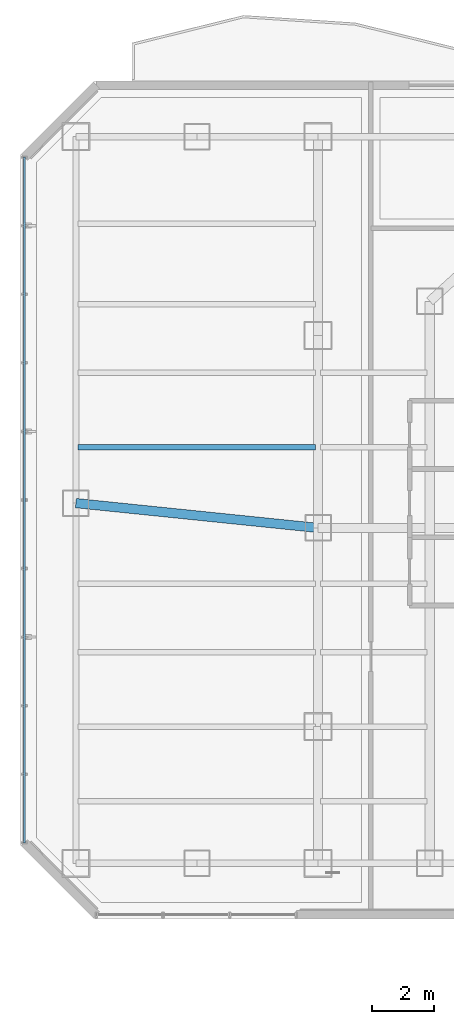
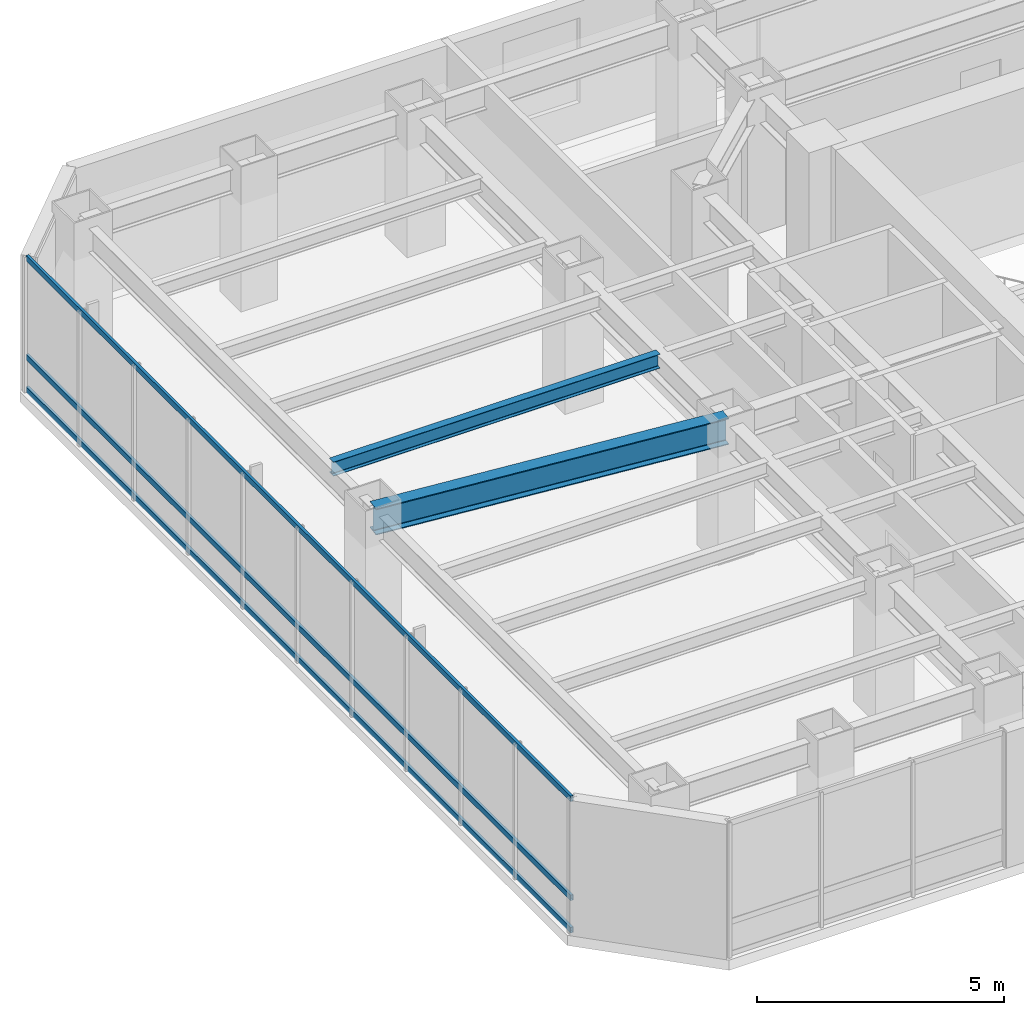
# One storey, part 14 of 29: 3 members, 2 beams, 1 element without a shape of its own.
"""IFC4 building model written with IfcOpenShell, lengths in metres."""

from ifc_helpers import new_model, si_unit, direction, frame, origin, origin_2d, place, context, subcontext, project, spatial, hollow_rectangle, i_section, extrude, material, layer, layer_set, material_profile, profile_set, type_object, element, aggregate, save


model = new_model("IFC4")

# Units and contexts
model_context = context("Model", 3, precision=1e-05, world=origin(), true_north=direction((0.0, 1.0)))
body_context = subcontext(model_context, "Body", "Model", "MODEL_VIEW")
ifc_project = project(units=[si_unit("LENGTHUNIT", "METRE"), si_unit("AREAUNIT", "SQUARE_METRE"), si_unit("VOLUMEUNIT", "CUBIC_METRE"), si_unit("PLANEANGLEUNIT", "RADIAN"), si_unit("MASSUNIT", "GRAM", prefix="KILO")], contexts=[model_context])

# Site, building, storey
site_placement = place(None, origin())
site = spatial("IfcSite", under=ifc_project, at=site_placement, CompositionType="ELEMENT")
building_placement = place(site_placement, origin())
building = spatial("IfcBuilding", under=site, at=building_placement, Name="Hatsunagi Terrace Concourse", CompositionType="ELEMENT")
storey_placement = place(building_placement, frame((0.0, 0.0, 115.64990234375)))
storey = spatial("IfcBuildingStorey", under=building, at=storey_placement, Name="L30", CompositionType="ELEMENT", Elevation=115.64990234375)

# Curtain wall, members
ifc_material_1 = material(Name="Anodised Aluminium Alloy 6063-T5", Category="aluminium")
ifc_layer = layer(ifc_material_1, 0.199951171875)
ifc_layer_set = layer_set([ifc_layer], Name="OfficeZone1_CW03")
curtain_wall_type = type_object("IfcCurtainWallType", Name="OfficeZone1_CW03", PredefinedType="NOTDEFINED", material=ifc_layer_set)
curtain_wall_placement = place(storey_placement, origin())
curtain_wall = element("IfcCurtainWall", 1, at=curtain_wall_placement, inside=storey, type_object=curtain_wall_type, Name="Unitised Curtain Wall CW-03 CW-L30-09", PredefinedType="NOTDEFINED")
ifc_material_2 = material(Name="Anodised Aluminium Alloy 6063-T5", Category="aluminium")
ifc_material_profile_1 = material_profile(ifc_material_2, hollow_rectangle(XDim=0.06494140625, YDim=0.139892578125, WallThickness=0.00390625, at=origin_2d()), Name="ALU-TRN-140x65x4")
ifc_profile_set_1 = profile_set([ifc_material_profile_1], Name="Anodised Aluminium Alloy 6063-T5")
member_type = type_object("IfcMemberType", Name="CurtainWallTransom_140x65", PredefinedType="USERDEFINED", material=ifc_profile_set_1)
member_1_placement = place(storey_placement, frame((9.739990234375, 25.85791015625, 0.050048828125), z_axis=(0.0, 1.0, 0.0), x_axis=(-1.0, 0.0, 0.0)))
member_1 = element("IfcMember", 2, at=member_1_placement, type_object=member_type, Name="Curtain Wall Transom TRN-02", ObjectType="TRANSOM", PredefinedType="USERDEFINED", context=body_context, shape_type="SweptSolid", body=[
    extrude(hollow_rectangle(XDim=0.06494140625, YDim=0.139892578125, WallThickness=0.00390625, at=origin_2d()), origin(), (0.0, 0.0, 1.0), 22.083984375),
])
member_2_placement = place(storey_placement, frame((9.739990234375, 25.85791015625, 0.85009765625), z_axis=(0.0, 1.0, 0.0), x_axis=(-1.0, 0.0, 0.0)))
member_2 = element("IfcMember", 3, at=member_2_placement, type_object=member_type, Name="Curtain Wall Transom TRN-02", ObjectType="TRANSOM", PredefinedType="USERDEFINED", context=body_context, shape_type="SweptSolid", body=[
    extrude(hollow_rectangle(XDim=0.06494140625, YDim=0.139892578125, WallThickness=0.00390625, at=origin_2d()), origin(), (0.0, 0.0, 1.0), 22.083984375),
])
member_3_placement = place(storey_placement, frame((9.739990234375, 25.85791015625, 3.300048828125), z_axis=(0.0, 1.0, 0.0), x_axis=(-1.0, 0.0, 0.0)))
member_3 = element("IfcMember", 4, at=member_3_placement, type_object=member_type, Name="Curtain Wall Transom TRN-02", ObjectType="TRANSOM", PredefinedType="USERDEFINED", context=body_context, shape_type="SweptSolid", body=[
    extrude(hollow_rectangle(XDim=0.06494140625, YDim=0.139892578125, WallThickness=0.00390625, at=origin_2d()), origin(), (0.0, 0.0, 1.0), 22.083984375),
])
aggregate(curtain_wall, [member_1, member_2, member_3])

# Beams
ifc_material_3 = material(Name="Steel SN490B", Category="steel")
ifc_material_profile_2 = material_profile(ifc_material_3, i_section(OverallWidth=0.175048828125, OverallDepth=0.35009765625, WebThickness=0.007080078125, FlangeThickness=0.010986328125, FilletRadius=0.012939453125, at=origin_2d()), Name="H-350x175x7x11")
ifc_profile_set_2 = profile_set([ifc_material_profile_2], Name="Steel SN490B")
beam_type_1 = type_object("IfcBeamType", Name="HotelJoist_H_350x175", PredefinedType="JOIST", material=ifc_profile_set_2)
beam_1_placement = place(storey_placement, frame((11.465087890625, 38.60009765625, 3.175048828125), z_axis=(1.0, 0.0, 0.0), x_axis=(0.0, 1.0, 0.0)))
element("IfcBeam", 5, at=beam_1_placement, inside=storey, type_object=beam_type_1, Name="Beam J-02 J-L30-W-11-386", PredefinedType="JOIST", context=body_context, shape_type="SweptSolid", body=[
    extrude(i_section(OverallWidth=0.175048828125, OverallDepth=0.35009765625, WebThickness=0.007080078125, FlangeThickness=0.010986328125, FilletRadius=0.012939453125, at=origin_2d()), origin(), (0.0, 0.0, 1.0), 7.64990234375),
])
ifc_material_4 = material(Name="Steel SN490B", Category="steel")
ifc_material_profile_3 = material_profile(ifc_material_4, i_section(OverallWidth=0.300048828125, OverallDepth=0.64990234375, WebThickness=0.012939453125, FlangeThickness=0.02197265625, FilletRadius=0.01806640625, at=origin_2d()), Name="H-650x300x13x22")
ifc_profile_set_3 = profile_set([ifc_material_profile_3], Name="Steel SN490B")
beam_type_2 = type_object("IfcBeamType", Name="OfficeLowGirder_H_650x300", PredefinedType="BEAM", material=ifc_profile_set_3)
beam_2_placement = place(storey_placement, frame((11.39990234375, 36.800048828125, 3.025146484375), z_axis=(0.994780871372, -0.102034395927, 0.0), x_axis=(0.102034395927, 0.994780871372, 0.0)))
element("IfcBeam", 6, at=beam_2_placement, inside=storey, type_object=beam_type_2, Name="Beam G-05 BM-L30-EW-2", PredefinedType="BEAM", context=body_context, shape_type="SweptSolid", body=[
    extrude(i_section(OverallWidth=0.300048828125, OverallDepth=0.64990234375, WebThickness=0.012939453125, FlangeThickness=0.02197265625, FilletRadius=0.01806640625, at=origin_2d()), origin(), (0.0, 0.0, 1.0), 7.841064453125),
])

save(model, "model.ifc")
